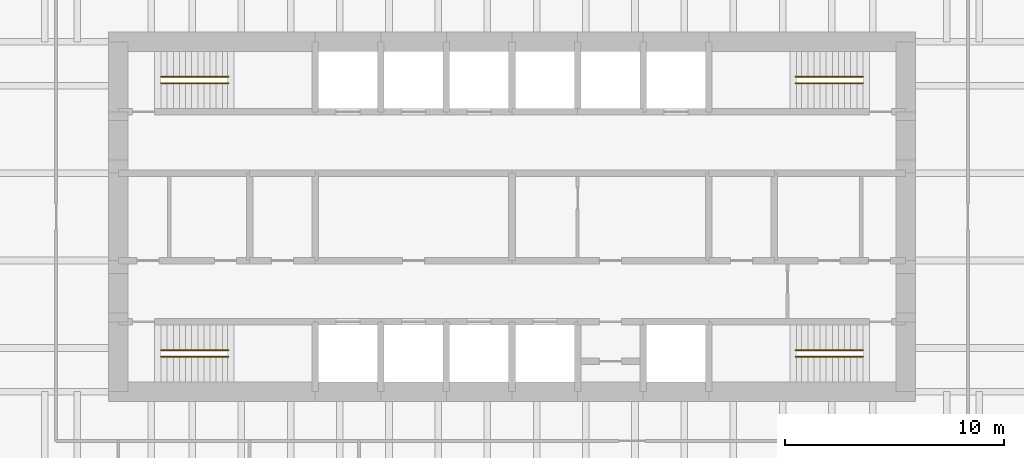
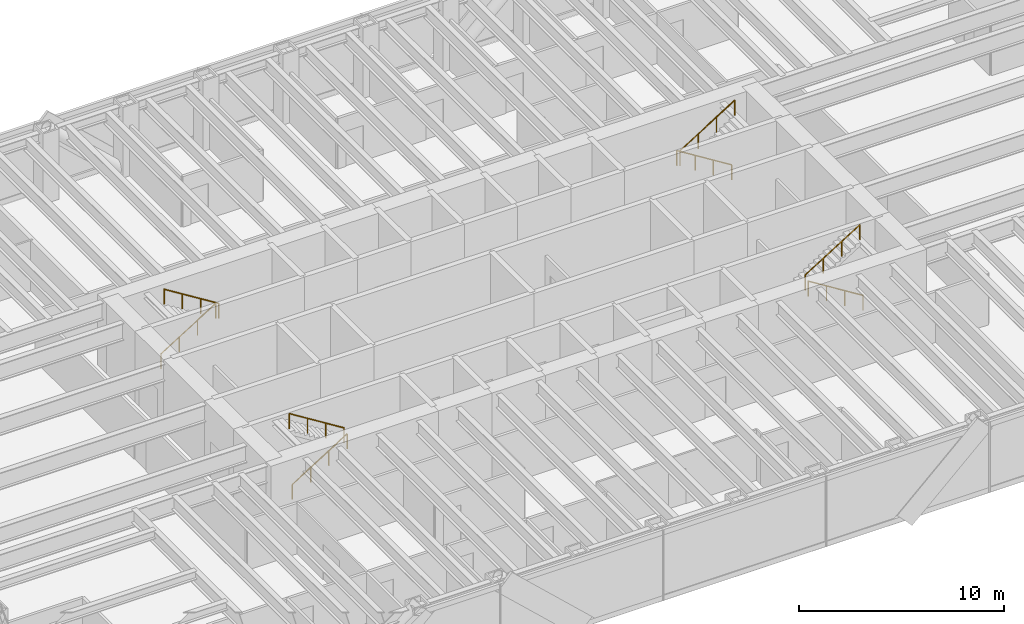
# One storey, part 15 of 15: 8 railings.
"""IFC4 building model written with IfcOpenShell, lengths in metres."""

from ifc_helpers import new_model, si_unit, direction, frame, origin, origin_2d, place, context, subcontext, project, spatial, circle, extrude, material, type_object, element, save


model = new_model("IFC4")

# Units and contexts
model_context = context("Model", 3, precision=1e-05, world=origin(), true_north=direction((0.0, 1.0)))
body_context = subcontext(model_context, "Body", "Model", "MODEL_VIEW")
ifc_project = project(units=[si_unit("LENGTHUNIT", "METRE"), si_unit("AREAUNIT", "SQUARE_METRE"), si_unit("VOLUMEUNIT", "CUBIC_METRE"), si_unit("PLANEANGLEUNIT", "RADIAN"), si_unit("MASSUNIT", "GRAM", prefix="KILO")], contexts=[model_context])

# Site, building, storey
site_placement = place(None, origin())
site = spatial("IfcSite", under=ifc_project, at=site_placement, CompositionType="ELEMENT")
building_placement = place(site_placement, origin())
building = spatial("IfcBuilding", under=site, at=building_placement, Name="Rheinbord Bourse Tower", CompositionType="ELEMENT")
storey_placement = place(building_placement, frame((0.0, 0.0, 163.5)))
storey = spatial("IfcBuildingStorey", under=building, at=storey_placement, Name="L36", CompositionType="ELEMENT", Elevation=163.5)

# Railings
ifc_material = material(Name="Steel handrail", Category="steel")
railing_type = type_object("IfcRailingType", Name="HANDRAIL 900", PredefinedType="HANDRAIL", material=ifc_material)
railing_1_placement = place(storey_placement, frame((19.949951171875, 17.60009765625, 0.175048828125)))
element("IfcRailing", 1, at=railing_1_placement, inside=storey, type_object=railing_type, Name="Handrail", PredefinedType="HANDRAIL", context=body_context, shape_type="SweptSolid", body=[
    extrude(circle(Radius=0.02392578125, at=origin_2d()), frame((0.0, 0.0, 0.8759765625), z_axis=(0.847998304005, 0.0, 0.529998940003), x_axis=(0.0, 1.0, 0.0)), (0.0, 0.0, 1.0), 3.632080078125),
    extrude(circle(Radius=0.02099609375, at=origin_2d()), origin(), (0.0, 0.0, 1.0), 0.851806640625),
    extrude(circle(Radius=0.02099609375, at=origin_2d()), frame((1.026611328125, 0.0, 0.6416015625)), (0.0, 0.0, 1.0), 0.851806640625),
    extrude(circle(Radius=0.02099609375, at=origin_2d()), frame((2.053466796875, 0.0, 1.283447265625)), (0.0, 0.0, 1.0), 0.851806640625),
    extrude(circle(Radius=0.02099609375, at=origin_2d()), frame((3.080078125, 0.0, 1.925048828125)), (0.0, 0.0, 1.0), 0.851806640625),
])
railing_2_placement = place(storey_placement, frame((23.030029296875, 17.89990234375, 2.27490234375)))
element("IfcRailing", 2, at=railing_2_placement, inside=storey, type_object=railing_type, Name="Handrail", PredefinedType="HANDRAIL", context=body_context, shape_type="SweptSolid", body=[
    extrude(circle(Radius=0.02392578125, at=origin_2d()), frame((0.0, 0.0, 0.8759765625), z_axis=(-0.847998304005, 0.0, 0.529998940003), x_axis=(0.0, -1.0, 0.0)), (0.0, 0.0, 1.0), 3.632080078125),
    extrude(circle(Radius=0.02099609375, at=origin_2d()), origin(), (0.0, 0.0, 1.0), 0.851806640625),
    extrude(circle(Radius=0.02099609375, at=origin_2d()), frame((-1.026611328125, 0.0, 0.6416015625)), (0.0, 0.0, 1.0), 0.851806640625),
    extrude(circle(Radius=0.02099609375, at=origin_2d()), frame((-2.053466796875, 0.0, 1.283447265625)), (0.0, 0.0, 1.0), 0.851806640625),
    extrude(circle(Radius=0.02099609375, at=origin_2d()), frame((-3.080078125, 0.0, 1.925048828125)), (0.0, 0.0, 1.0), 0.851806640625),
])
railing_3_placement = place(storey_placement, frame((19.949951171875, 30.39990234375, 0.175048828125)))
element("IfcRailing", 3, at=railing_3_placement, inside=storey, type_object=railing_type, Name="Handrail", PredefinedType="HANDRAIL", context=body_context, shape_type="SweptSolid", body=[
    extrude(circle(Radius=0.02392578125, at=origin_2d()), frame((0.0, 0.0, 0.8759765625), z_axis=(0.847998304005, 0.0, 0.529998940003), x_axis=(0.0, 1.0, 0.0)), (0.0, 0.0, 1.0), 3.632080078125),
    extrude(circle(Radius=0.02099609375, at=origin_2d()), origin(), (0.0, 0.0, 1.0), 0.851806640625),
    extrude(circle(Radius=0.02099609375, at=origin_2d()), frame((1.026611328125, 0.0, 0.6416015625)), (0.0, 0.0, 1.0), 0.851806640625),
    extrude(circle(Radius=0.02099609375, at=origin_2d()), frame((2.053466796875, 0.0, 1.283447265625)), (0.0, 0.0, 1.0), 0.851806640625),
    extrude(circle(Radius=0.02099609375, at=origin_2d()), frame((3.080078125, 0.0, 1.925048828125)), (0.0, 0.0, 1.0), 0.851806640625),
])
for number, where, name in (
    (4, (23.030029296875, 30.10009765625, 2.27490234375), "Handrail"),
    (5, (52.050048828125, 17.60009765625, 0.175048828125), "Handrail"),
):
    element("IfcRailing", number, at=place(storey_placement, frame(where)), inside=storey, type_object=railing_type, Name=name, PredefinedType="HANDRAIL", context=body_context, shape_type="SweptSolid", body=[
        extrude(circle(Radius=0.02392578125, at=origin_2d()), frame((0.0, 0.0, 0.8759765625), z_axis=(-0.847998304005, 0.0, 0.529998940003), x_axis=(0.0, -1.0, 0.0)), (0.0, 0.0, 1.0), 3.632080078125),
        extrude(circle(Radius=0.02099609375, at=origin_2d()), origin(), (0.0, 0.0, 1.0), 0.851806640625),
        extrude(circle(Radius=0.02099609375, at=origin_2d()), frame((-1.026611328125, 0.0, 0.6416015625)), (0.0, 0.0, 1.0), 0.851806640625),
        extrude(circle(Radius=0.02099609375, at=origin_2d()), frame((-2.053466796875, 0.0, 1.283447265625)), (0.0, 0.0, 1.0), 0.851806640625),
        extrude(circle(Radius=0.02099609375, at=origin_2d()), frame((-3.080078125, 0.0, 1.925048828125)), (0.0, 0.0, 1.0), 0.851806640625),
    ])
railing_4_placement = place(storey_placement, frame((48.969970703125, 17.89990234375, 2.27490234375)))
element("IfcRailing", 6, at=railing_4_placement, inside=storey, type_object=railing_type, Name="Handrail", PredefinedType="HANDRAIL", context=body_context, shape_type="SweptSolid", body=[
    extrude(circle(Radius=0.02392578125, at=origin_2d()), frame((0.0, 0.0, 0.8759765625), z_axis=(0.847998304005, 0.0, 0.529998940003), x_axis=(0.0, 1.0, 0.0)), (0.0, 0.0, 1.0), 3.632080078125),
    extrude(circle(Radius=0.02099609375, at=origin_2d()), origin(), (0.0, 0.0, 1.0), 0.851806640625),
    extrude(circle(Radius=0.02099609375, at=origin_2d()), frame((1.026611328125, 0.0, 0.6416015625)), (0.0, 0.0, 1.0), 0.851806640625),
    extrude(circle(Radius=0.02099609375, at=origin_2d()), frame((2.053466796875, 0.0, 1.283447265625)), (0.0, 0.0, 1.0), 0.851806640625),
    extrude(circle(Radius=0.02099609375, at=origin_2d()), frame((3.080078125, 0.0, 1.925048828125)), (0.0, 0.0, 1.0), 0.851806640625),
])
railing_5_placement = place(storey_placement, frame((52.050048828125, 30.39990234375, 0.175048828125)))
element("IfcRailing", 7, at=railing_5_placement, inside=storey, type_object=railing_type, Name="Handrail", PredefinedType="HANDRAIL", context=body_context, shape_type="SweptSolid", body=[
    extrude(circle(Radius=0.02392578125, at=origin_2d()), frame((0.0, 0.0, 0.8759765625), z_axis=(-0.847998304005, 0.0, 0.529998940003), x_axis=(0.0, -1.0, 0.0)), (0.0, 0.0, 1.0), 3.632080078125),
    extrude(circle(Radius=0.02099609375, at=origin_2d()), origin(), (0.0, 0.0, 1.0), 0.851806640625),
    extrude(circle(Radius=0.02099609375, at=origin_2d()), frame((-1.026611328125, 0.0, 0.6416015625)), (0.0, 0.0, 1.0), 0.851806640625),
    extrude(circle(Radius=0.02099609375, at=origin_2d()), frame((-2.053466796875, 0.0, 1.283447265625)), (0.0, 0.0, 1.0), 0.851806640625),
    extrude(circle(Radius=0.02099609375, at=origin_2d()), frame((-3.080078125, 0.0, 1.925048828125)), (0.0, 0.0, 1.0), 0.851806640625),
])
railing_6_placement = place(storey_placement, frame((48.969970703125, 30.10009765625, 2.27490234375)))
element("IfcRailing", 8, at=railing_6_placement, inside=storey, type_object=railing_type, Name="Handrail", PredefinedType="HANDRAIL", context=body_context, shape_type="SweptSolid", body=[
    extrude(circle(Radius=0.02392578125, at=origin_2d()), frame((0.0, 0.0, 0.8759765625), z_axis=(0.847998304005, 0.0, 0.529998940003), x_axis=(0.0, 1.0, 0.0)), (0.0, 0.0, 1.0), 3.632080078125),
    extrude(circle(Radius=0.02099609375, at=origin_2d()), origin(), (0.0, 0.0, 1.0), 0.851806640625),
    extrude(circle(Radius=0.02099609375, at=origin_2d()), frame((1.026611328125, 0.0, 0.6416015625)), (0.0, 0.0, 1.0), 0.851806640625),
    extrude(circle(Radius=0.02099609375, at=origin_2d()), frame((2.053466796875, 0.0, 1.283447265625)), (0.0, 0.0, 1.0), 0.851806640625),
    extrude(circle(Radius=0.02099609375, at=origin_2d()), frame((3.080078125, 0.0, 1.925048828125)), (0.0, 0.0, 1.0), 0.851806640625),
])

save(model, "model.ifc")
